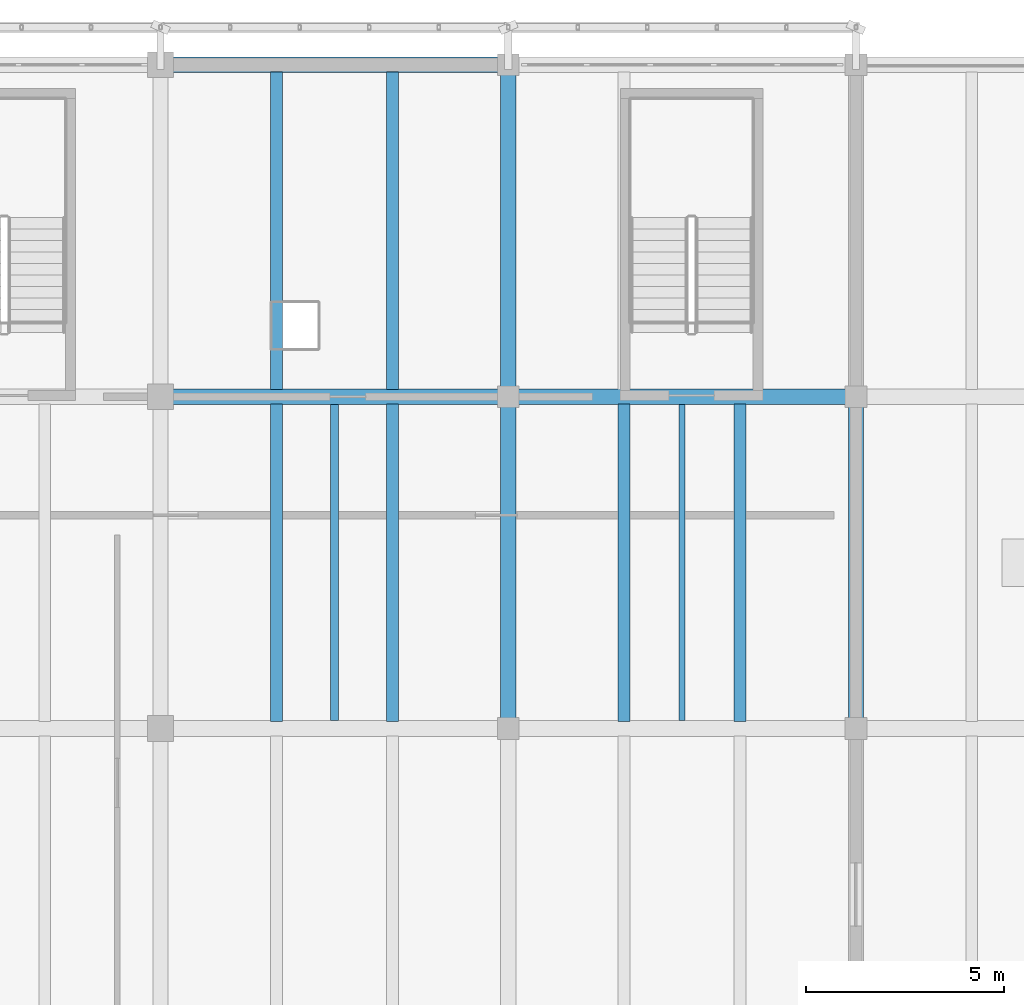
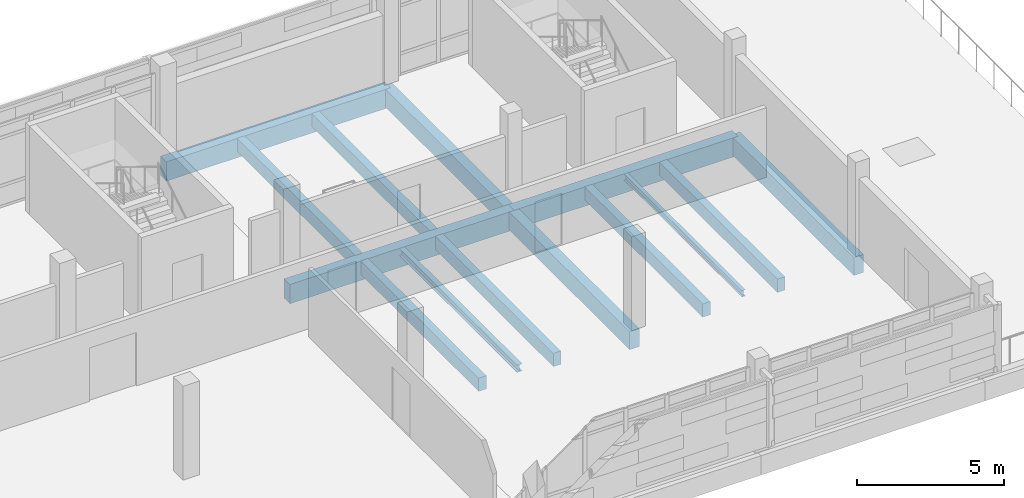
# One storey, part 71 of 117: 14 beams.
"""IFC4 building model written with IfcOpenShell, lengths in metres."""

from ifc_helpers import new_model, si_unit, direction, frame, origin, origin_2d, place, context, subcontext, project, spatial, rectangle, i_section, extrude, material, material_profile, profile_set, type_object, element, save


model = new_model("IFC4")

# Units and contexts
model_context = context("Model", 3, precision=1e-05, world=origin(), true_north=direction((0.0, 1.0)))
body_context = subcontext(model_context, "Body", "Model", "MODEL_VIEW")
ifc_project = project(units=[si_unit("LENGTHUNIT", "METRE"), si_unit("AREAUNIT", "SQUARE_METRE"), si_unit("VOLUMEUNIT", "CUBIC_METRE"), si_unit("PLANEANGLEUNIT", "RADIAN"), si_unit("MASSUNIT", "GRAM", prefix="KILO")], contexts=[model_context])

# Site, building, storey
site_placement = place(None, origin())
site = spatial("IfcSite", under=ifc_project, at=site_placement, CompositionType="ELEMENT")
building_placement = place(site_placement, origin())
building = spatial("IfcBuilding", under=site, at=building_placement, Name="Cinderway Yard Community Centre", CompositionType="ELEMENT")
storey_placement = place(building_placement, frame((0.0, 0.0, 9.0)))
storey = spatial("IfcBuildingStorey", under=building, at=storey_placement, Name="L02", CompositionType="ELEMENT", Elevation=9.0)

# Beams
ifc_material_1 = material(Name="Concrete C35/45", Category="concrete")
ifc_material_profile_1 = material_profile(ifc_material_1, rectangle(XDim=0.300048828125, YDim=0.550048828125, at=origin_2d()), Name="Concrete C35/45")
ifc_profile_set_1 = profile_set([ifc_material_profile_1], Name="Concrete C35/45")
beam_type_1 = type_object("IfcBeamType", Name="STR-BM-RC300X550", PredefinedType="JOIST", material=ifc_profile_set_1)
for number, where, z_axis, x_axis, name in (
    (1, (122.133056640625, 98.58203125, -0.514892578125), (0.0, 1.0, 0.0), (-1.0, 0.0, 0.0), "Secondary joist STR-BM-L02-BJ03-0634"),
    (2, (125.06689453125, 98.58203125, -0.514892578125), (0.0, 1.0, 0.0), (-1.0, 0.0, 0.0), "Secondary joist STR-BM-L02-BJ03-0635"),
):
    element("IfcBeam", number, at=place(storey_placement, frame(where, z_axis=z_axis, x_axis=x_axis)), inside=storey, type_object=beam_type_1, Name=name, PredefinedType="JOIST", context=body_context, shape_type="SweptSolid", body=[
        extrude(rectangle(XDim=0.300048828125, YDim=0.550048828125, at=origin_2d()), origin(), (0.0, 0.0, 1.0), 8.035888671875),
    ])
for number, where, z_axis, x_axis, name in (
    (3, (122.133056640625, 106.98193359375, -0.514892578125), (0.0, 1.0, 0.0), (-1.0, 0.0, 0.0), "Secondary joist STR-BM-L02-BJ03-0636"),
    (4, (125.06689453125, 106.98193359375, -0.514892578125), (0.0, 1.0, 0.0), (-1.0, 0.0, 0.0), "Secondary joist STR-BM-L02-BJ03-0637"),
):
    element("IfcBeam", number, at=place(storey_placement, frame(where, z_axis=z_axis, x_axis=x_axis)), inside=storey, type_object=beam_type_1, Name=name, PredefinedType="JOIST", context=body_context, shape_type="SweptSolid", body=[
        extrude(rectangle(XDim=0.300048828125, YDim=0.550048828125, at=origin_2d()), origin(), (0.0, 0.0, 1.0), 8.0361328125),
    ])
for number, where, z_axis, x_axis, name in (
    (5, (130.93310546875, 98.58203125, -0.514892578125), (0.0, 1.0, 0.0), (-1.0, 0.0, 0.0), "Secondary joist STR-BM-L02-BJ03-0640"),
    (6, (133.866943359375, 98.58203125, -0.514892578125), (0.0, 1.0, 0.0), (-1.0, 0.0, 0.0), "Secondary joist STR-BM-L02-BJ03-0641"),
):
    element("IfcBeam", number, at=place(storey_placement, frame(where, z_axis=z_axis, x_axis=x_axis)), inside=storey, type_object=beam_type_1, Name=name, PredefinedType="JOIST", context=body_context, shape_type="SweptSolid", body=[
        extrude(rectangle(XDim=0.300048828125, YDim=0.550048828125, at=origin_2d()), origin(), (0.0, 0.0, 1.0), 8.035888671875),
    ])
ifc_material_profile_2 = material_profile(ifc_material_1, rectangle(XDim=0.3798828125, YDim=0.75, at=origin_2d()), Name="Concrete C35/45")
ifc_profile_set_2 = profile_set([ifc_material_profile_2], Name="Concrete C35/45")
beam_type_2 = type_object("IfcBeamType", Name="STR-BM-RC380X750", PredefinedType="BEAM", material=ifc_profile_set_2)
beam_1_placement = place(storey_placement, frame((128.0, 98.39990234375, -0.614990234375), z_axis=(0.0, 1.0, 0.0), x_axis=(-1.0, 0.0, 0.0)))
element("IfcBeam", 7, at=beam_1_placement, inside=storey, type_object=beam_type_2, Name="Transverse girder STR-BM-L02-BG06-0575", PredefinedType="BEAM", context=body_context, shape_type="SweptSolid", body=[
    extrude(rectangle(XDim=0.3798828125, YDim=0.75, at=origin_2d()), origin(), (0.0, 0.0, 1.0), 8.400146484375),
])
beam_2_placement = place(storey_placement, frame((128.0, 106.800048828125, -0.614990234375), z_axis=(0.0, 1.0, 0.0), x_axis=(-1.0, 0.0, 0.0)))
element("IfcBeam", 8, at=beam_2_placement, inside=storey, type_object=beam_type_2, Name="Transverse girder STR-BM-L02-BG06-0576", PredefinedType="BEAM", context=body_context, shape_type="SweptSolid", body=[
    extrude(rectangle(XDim=0.3798828125, YDim=0.75, at=origin_2d()), origin(), (0.0, 0.0, 1.0), 8.39990234375),
])
beam_3_placement = place(storey_placement, frame((136.800048828125, 98.39990234375, -0.614990234375), z_axis=(0.0, 1.0, 0.0), x_axis=(-1.0, 0.0, 0.0)))
element("IfcBeam", 9, at=beam_3_placement, inside=storey, type_object=beam_type_2, Name="Transverse girder STR-BM-L02-BG06-0578", PredefinedType="BEAM", context=body_context, shape_type="SweptSolid", body=[
    extrude(rectangle(XDim=0.3798828125, YDim=0.75, at=origin_2d()), origin(), (0.0, 0.0, 1.0), 8.400146484375),
])
ifc_material_2 = material(Name="Concrete C40/50", Category="concrete")
ifc_material_profile_3 = material_profile(ifc_material_2, rectangle(XDim=0.39990234375, YDim=0.800048828125, at=origin_2d()), Name="Concrete C40/50")
ifc_profile_set_3 = profile_set([ifc_material_profile_3], Name="Concrete C40/50")
beam_type_3 = type_object("IfcBeamType", Name="STR-BM-RC400X800", PredefinedType="BEAM", material=ifc_profile_set_3)
for number, where, z_axis, x_axis, name in (
    (10, (119.199951171875, 106.800048828125, -0.639892578125), (1.0, 0.0, 0.0), (0.0, 1.0, 0.0), "Primary girder STR-BM-L02-BG05-0529"),
    (11, (128.0, 106.800048828125, -0.639892578125), (1.0, 0.0, 0.0), (0.0, 1.0, 0.0), "Primary girder STR-BM-L02-BG05-0530"),
    (12, (119.199951171875, 115.199951171875, -0.639892578125), (1.0, 0.0, 0.0), (0.0, 1.0, 0.0), "Primary girder STR-BM-L02-BG05-0541"),
):
    element("IfcBeam", number, at=place(storey_placement, frame(where, z_axis=z_axis, x_axis=x_axis)), inside=storey, type_object=beam_type_3, Name=name, PredefinedType="BEAM", context=body_context, shape_type="SweptSolid", body=[
        extrude(rectangle(XDim=0.39990234375, YDim=0.800048828125, at=origin_2d()), origin(), (0.0, 0.0, 1.0), 8.800048828125),
    ])
ifc_material_3 = material(Name="Steel S355", Category="steel")
ifc_material_profile_4 = material_profile(ifc_material_3, i_section(OverallWidth=0.14697265625, OverallDepth=0.261962890625, WebThickness=0.006591796875, FlangeThickness=0.01123046875, FilletRadius=0.009033203125, at=origin_2d()), Name="Steel S355")
ifc_profile_set_4 = profile_set([ifc_material_profile_4], Name="Steel S355")
beam_type_4 = type_object("IfcBeamType", Name="STR-BM-W250X39", PredefinedType="SPANDREL", material=ifc_profile_set_4)
beam_4_placement = place(storey_placement, frame((132.39990234375, 98.60009765625, -0.37109375), z_axis=(0.0, 1.0, 0.0), x_axis=(-1.0, 0.0, 0.0)))
element("IfcBeam", 13, at=beam_4_placement, inside=storey, type_object=beam_type_4, Name="Mid-bay secondary beam STR-BM-L02-SS02-1184", PredefinedType="SPANDREL", context=body_context, shape_type="SweptSolid", body=[
    extrude(i_section(OverallWidth=0.14697265625, OverallDepth=0.261962890625, WebThickness=0.006591796875, FlangeThickness=0.01123046875, FilletRadius=0.009033203125, at=origin_2d()), origin(), (0.0, 0.0, 1.0), 8.0),
])
ifc_material_profile_5 = material_profile(ifc_material_3, i_section(OverallWidth=0.202880859375, OverallDepth=0.302978515625, WebThickness=0.007568359375, FlangeThickness=0.01318359375, FilletRadius=0.010009765625, at=origin_2d()), Name="Steel S355")
ifc_profile_set_5 = profile_set([ifc_material_profile_5], Name="Steel S355")
beam_type_5 = type_object("IfcBeamType", Name="STR-BM-W310X60", PredefinedType="SPANDREL", material=ifc_profile_set_5)
beam_5_placement = place(storey_placement, frame((123.60009765625, 98.60009765625, -0.39208984375), z_axis=(0.0, 1.0, 0.0), x_axis=(-1.0, 0.0, 0.0)))
element("IfcBeam", 14, at=beam_5_placement, inside=storey, type_object=beam_type_5, Name="Mid-bay secondary beam STR-BM-L02-SS03-1183", PredefinedType="SPANDREL", context=body_context, shape_type="SweptSolid", body=[
    extrude(i_section(OverallWidth=0.202880859375, OverallDepth=0.302978515625, WebThickness=0.007568359375, FlangeThickness=0.01318359375, FilletRadius=0.010009765625, at=origin_2d()), origin(), (0.0, 0.0, 1.0), 8.0),
])

save(model, "model.ifc")
